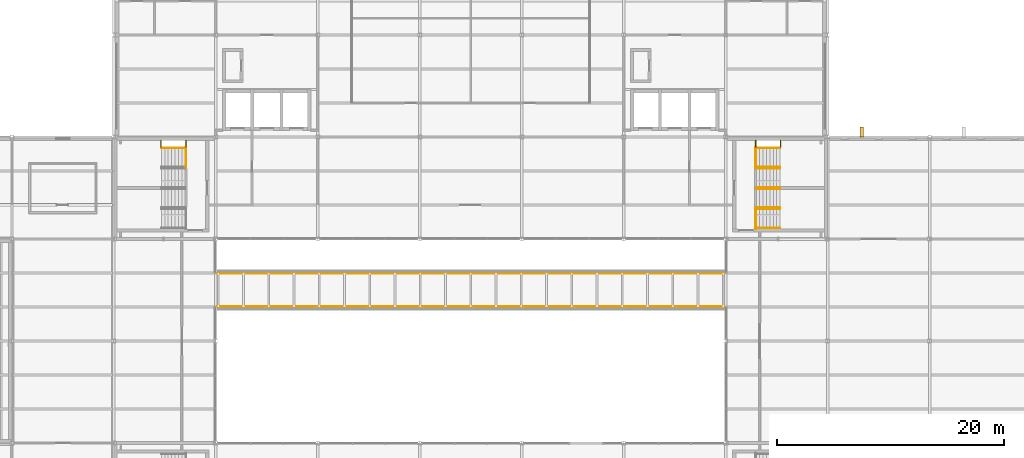
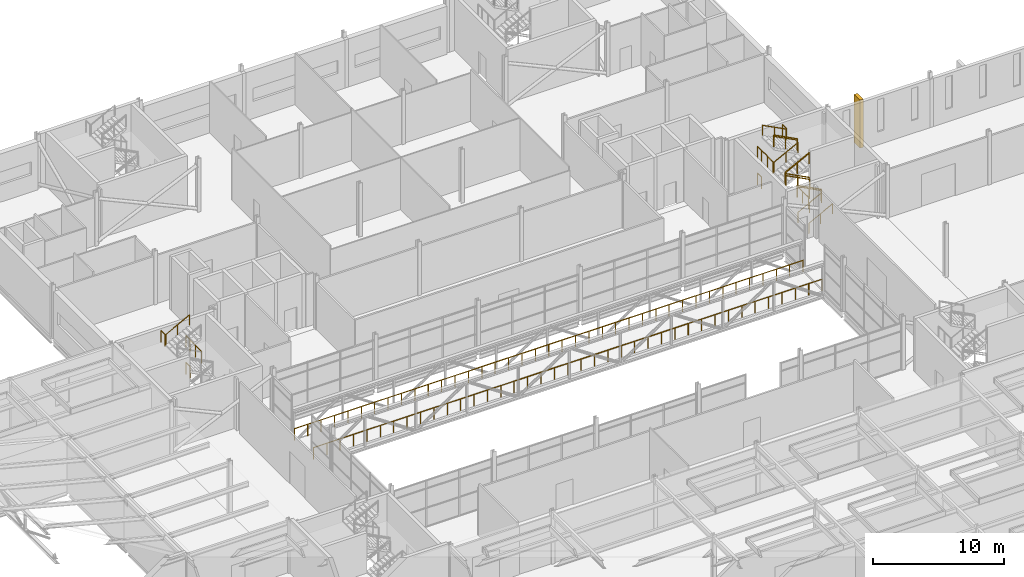
# One storey, part 113 of 115: 24 railings, 1 shading device.
"""IFC4 building model written with IfcOpenShell, lengths in metres."""

import ifcopenshell
import ifcopenshell.guid

model = None  # the IFC model being written
_history = None  # IfcOwnerHistory: only IFC2X3 demands one
_inside = {}  # id of a spatial element -> (the spatial element, [elements in it])
_under = {}  # id of a project, library or spatial element -> (it, [spatial elements below it])
_declared = {}  # id of a project -> (the project, [libraries it declares])
_typed = {}  # id of a type object -> (the type object, [elements of that type])
_made_of = {}  # id of a material, layer set ... -> (it, [elements and type objects made of it])


def new_model(schema):
    """Start an empty IFC model of exactly this schema.

    Asked for "IFC4X3", IfcOpenShell would pick the latest addendum, in which some entities
    have other attributes; the version numbers below select the first issue.
    IFC2X3 requires an IfcOwnerHistory on every rooted entity: one is made here for all.
    """
    global model, _history
    if schema == "IFC4X3":
        model = ifcopenshell.file(schema_version=(4, 3, 0, 0))
    else:
        model = ifcopenshell.file(schema=schema)
    _inside.clear()
    _under.clear()
    _declared.clear()
    _typed.clear()
    _made_of.clear()
    _history = None
    if model.schema == "IFC2X3":
        org = make("IfcOrganization", Name="unknown")
        user = make(
            "IfcPersonAndOrganization",
            ThePerson=make("IfcPerson", FamilyName="unknown"),
            TheOrganization=org,
        )
        app = make(
            "IfcApplication",
            ApplicationDeveloper=org,
            Version="unknown",
            ApplicationFullName="unknown",
            ApplicationIdentifier="unknown",
        )
        _history = make(
            "IfcOwnerHistory",
            OwningUser=user,
            OwningApplication=app,
            ChangeAction="ADDED",
            CreationDate=0,
        )
    return model


def make(cls, **values):
    """One entity of the class cls with the attributes given. An attribute that is None is left unset."""
    return model.create_entity(
        cls, **{name: value for name, value in values.items() if value is not None}
    )


def rooted(cls, **values):
    """An entity with a GlobalId (a new one), such as an element, a storey or a relation."""
    return make(cls, GlobalId=ifcopenshell.guid.new(), OwnerHistory=_history, **values)


def si_unit(unit_type, name, prefix=None):
    """IfcSIUnit, for example si_unit("LENGTHUNIT", "METRE", prefix="MILLI")."""
    return make("IfcSIUnit", UnitType=unit_type, Prefix=prefix, Name=name)


def assignment(units):
    """IfcUnitAssignment: the units of a project."""
    return None if units is None else make("IfcUnitAssignment", Units=units)


def point(xyz):
    """IfcCartesianPoint."""
    return None if xyz is None else make("IfcCartesianPoint", Coordinates=xyz)


def direction(xyz):
    """IfcDirection."""
    return None if xyz is None else make("IfcDirection", DirectionRatios=xyz)


def frame(location, z_axis=None, x_axis=None):
    """IfcAxis2Placement3D, a coordinate frame: its origin and axes. An axis left out is left unset."""
    return make(
        "IfcAxis2Placement3D",
        Location=point(location),
        Axis=direction(z_axis),
        RefDirection=direction(x_axis),
    )


def frame_2d(location, x_axis=None):
    """IfcAxis2Placement2D, a coordinate frame in the plane: its origin and x axis."""
    return make(
        "IfcAxis2Placement2D", Location=point(location), RefDirection=direction(x_axis)
    )


def origin():
    """The frame at (0, 0, 0) with its axes left unset."""
    return frame((0.0, 0.0, 0.0))


def origin_2d():
    """The frame at (0, 0) in the plane with its x axis left unset."""
    return frame_2d((0.0, 0.0))


def place(relative_to, where):
    """IfcLocalPlacement: puts the frame where relative to a parent placement (None: the world)."""
    return make(
        "IfcLocalPlacement", PlacementRelTo=relative_to, RelativePlacement=where
    )


def context(
    kind, dimensions, precision=None, world=None, true_north=None, identifier=None
):
    """IfcGeometricRepresentationContext, for example the 3D "Model" context."""
    return make(
        "IfcGeometricRepresentationContext",
        ContextIdentifier=identifier,
        ContextType=kind,
        CoordinateSpaceDimension=dimensions,
        Precision=precision,
        WorldCoordinateSystem=world,
        TrueNorth=true_north,
    )


def subcontext(parent, identifier, kind, view, scale=None):
    """IfcGeometricRepresentationSubContext, for example "Body" below "Model"."""
    return make(
        "IfcGeometricRepresentationSubContext",
        ContextIdentifier=identifier,
        ContextType=kind,
        ParentContext=parent,
        TargetScale=scale,
        TargetView=view,
    )


def project(units=None, contexts=None):
    """IfcProject with its units and contexts."""
    return rooted(
        "IfcProject",
        Name="project",
        RepresentationContexts=contexts,
        UnitsInContext=assignment(units),
    )


def spatial(cls, under=None, at=None, **own):
    """A site, building, storey or space (cls), placed at a placement, below another one or the project."""
    s = rooted(cls, ObjectPlacement=at, **own)
    if under is not None:
        _under.setdefault(under.id(), (under, []))[1].append(s)
    return s


def profile(cls, at=None, kind="AREA", **sizes):
    """A parametric profile (cls). Its sizes go by their IFC names, for example OverallWidth=200.0."""
    return make(cls, ProfileType=kind, Position=at, **sizes)


def rectangle(**sizes):
    """IfcRectangleProfileDef."""
    return profile("IfcRectangleProfileDef", **sizes)


def circle(**sizes):
    """IfcCircleProfileDef."""
    return profile("IfcCircleProfileDef", **sizes)


def extrude(swept, where, along, depth):
    """IfcExtrudedAreaSolid: the profile swept, set in the frame where, extruded along a direction by depth."""
    return make(
        "IfcExtrudedAreaSolid",
        SweptArea=swept,
        Position=where,
        ExtrudedDirection=direction(along),
        Depth=depth,
    )


def shape(context_of_items, identifier, shape_type, items):
    """IfcShapeRepresentation: the items that make up one representation, for example the "Body"."""
    return make(
        "IfcShapeRepresentation",
        ContextOfItems=context_of_items,
        RepresentationIdentifier=identifier,
        RepresentationType=shape_type,
        Items=items,
    )


def material(Name=None, Category=None):
    """IfcMaterial."""
    return make("IfcMaterial", Name=Name, Category=Category)


def layer(
    of_material, thickness, ventilated=None, Name=None, Category=None, Priority=None
):
    """IfcMaterialLayer: one layer of a wall or slab, of a material (None: an air gap)."""
    return make(
        "IfcMaterialLayer",
        Material=of_material,
        LayerThickness=thickness,
        IsVentilated=ventilated,
        Name=Name,
        Category=Category,
        Priority=Priority,
    )


def layer_set(layers, Name=None):
    """IfcMaterialLayerSet."""
    return make("IfcMaterialLayerSet", MaterialLayers=layers, LayerSetName=Name)


def made_of(thing, what):
    """Note that an element or type object is made of a material, layer set ...; save() writes the relation."""
    if what is not None:
        _made_of.setdefault(what.id(), (what, []))[1].append(thing)
    return thing


def type_object(cls, material=None, **own):
    """A type object (cls), such as IfcWallType, which elements share."""
    return made_of(rooted(cls, **own), material)


def element(
    cls,
    number,
    at=None,
    inside=None,
    cuts=None,
    type_object=None,
    material=None,
    context=None,
    identifier="Body",
    shape_type=None,
    held_by="IfcProductDefinitionShape",
    body=None,
    shapes=None,
    **own,
):
    """One element of the class cls, such as IfcWall. Its Tag is "e" and its number.

    at: its placement. inside: the storey or other place that contains it. cuts: it is an
    opening in that element (IfcRelVoidsElement). A single representation is given by context,
    identifier, shape_type and body (its items); several are given by shapes. held_by: the class
    of the entity that holds the representations. save() writes the other relations.
    """
    e = rooted(cls, Tag="e%d" % number, ObjectPlacement=at, **own)
    if body is not None:
        shapes = [shape(context, identifier, shape_type, body)]
    if shapes is not None:
        e.Representation = make(held_by, Representations=shapes)
    if inside is not None:
        _inside.setdefault(inside.id(), (inside, []))[1].append(e)
    if cuts is not None:
        rooted(
            "IfcRelVoidsElement", RelatingBuildingElement=cuts, RelatedOpeningElement=e
        )
    if type_object is not None:
        _typed.setdefault(type_object.id(), (type_object, []))[1].append(e)
    return made_of(e, material)


def aggregate(whole, parts):
    """IfcRelAggregates: a whole, such as a stair, and the parts it consists of."""
    return rooted("IfcRelAggregates", RelatingObject=whole, RelatedObjects=parts)


def save(model, path):
    """Write the relations noted so far, then the file.

    IfcRelAggregates (storeys below a building ...), IfcRelContainedInSpatialStructure (elements
    in a storey), IfcRelDefinesByType, IfcRelAssociatesMaterial and IfcRelDeclares: one each for
    every whole, place, type object, material and project.
    """
    for whole, parts in _under.values():
        aggregate(whole, parts)
    for where, things in _inside.values():
        rooted(
            "IfcRelContainedInSpatialStructure",
            RelatedElements=things,
            RelatingStructure=where,
        )
    for kind, things in _typed.values():
        rooted("IfcRelDefinesByType", RelatedObjects=things, RelatingType=kind)
    for what, things in _made_of.values():
        rooted("IfcRelAssociatesMaterial", RelatedObjects=things, RelatingMaterial=what)
    for by, libraries in _declared.values():
        rooted("IfcRelDeclares", RelatingContext=by, RelatedDefinitions=libraries)
    model.write(path)


model = new_model("IFC4")

# Units and contexts
model_context = context("Model", 3, precision=1e-05, world=origin(), true_north=direction((0.0, 1.0)))
body_context = subcontext(model_context, "Body", "Model", "MODEL_VIEW")
ifc_project = project(units=[si_unit("LENGTHUNIT", "METRE"), si_unit("AREAUNIT", "SQUARE_METRE"), si_unit("VOLUMEUNIT", "CUBIC_METRE"), si_unit("PLANEANGLEUNIT", "RADIAN"), si_unit("MASSUNIT", "GRAM", prefix="KILO")], contexts=[model_context])

# Site, building, storey
site_placement = place(None, origin())
site = spatial("IfcSite", under=ifc_project, at=site_placement, CompositionType="ELEMENT")
building_placement = place(site_placement, origin())
building = spatial("IfcBuilding", under=site, at=building_placement, Name="Shorebreak Coast Museum", CompositionType="ELEMENT")
storey_placement = place(building_placement, frame((0.0, 0.0, 11.0)))
storey = spatial("IfcBuildingStorey", under=building, at=storey_placement, Name="L02", CompositionType="ELEMENT", Elevation=11.0)

# Railings
ifc_material_1 = material(Name="Steel Grade 300", Category="steel")
railing_type_1 = type_object("IfcRailingType", Name="Bridge guard 1100", PredefinedType="GUARDRAIL", material=ifc_material_1)
railing_1_placement = place(storey_placement, frame((63.114501953125, 75.050048828125, 0.0)))
element("IfcRailing", 1, at=railing_1_placement, inside=storey, type_object=railing_type_1, Name="Guard bridge BR1 S", PredefinedType="GUARDRAIL", context=body_context, shape_type="SweptSolid", body=[
    extrude(circle(Radius=0.02490234375, at=origin_2d()), frame((0.0, 0.0, 1.0751953125), z_axis=(1.0, 0.0, 0.0), x_axis=(0.0, 1.0, 0.0)), (0.0, 0.0, 1.0), 44.77099609375),
    extrude(circle(Radius=0.02001953125, at=origin_2d()), origin(), (0.0, 0.0, 1.0), 1.050048828125),
    extrude(circle(Radius=0.02001953125, at=origin_2d()), frame((1.17822265625, 0.0, 0.0)), (0.0, 0.0, 1.0), 1.050048828125),
    extrude(circle(Radius=0.02001953125, at=origin_2d()), frame((2.3564453125, 0.0, 0.0)), (0.0, 0.0, 1.0), 1.050048828125),
    extrude(circle(Radius=0.02001953125, at=origin_2d()), frame((3.53466796875, 0.0, 0.0)), (0.0, 0.0, 1.0), 1.050048828125),
    extrude(circle(Radius=0.02001953125, at=origin_2d()), frame((4.712646484375, 0.0, 0.0)), (0.0, 0.0, 1.0), 1.050048828125),
    extrude(circle(Radius=0.02001953125, at=origin_2d()), frame((5.890869140625, 0.0, 0.0)), (0.0, 0.0, 1.0), 1.050048828125),
    extrude(circle(Radius=0.02001953125, at=origin_2d()), frame((7.069091796875, 0.0, 0.0)), (0.0, 0.0, 1.0), 1.050048828125),
    extrude(circle(Radius=0.02001953125, at=origin_2d()), frame((8.247314453125, 0.0, 0.0)), (0.0, 0.0, 1.0), 1.050048828125),
    extrude(circle(Radius=0.02001953125, at=origin_2d()), frame((9.425537109375, 0.0, 0.0)), (0.0, 0.0, 1.0), 1.050048828125),
    extrude(circle(Radius=0.02001953125, at=origin_2d()), frame((10.603759765625, 0.0, 0.0)), (0.0, 0.0, 1.0), 1.050048828125),
    extrude(circle(Radius=0.02001953125, at=origin_2d()), frame((11.78173828125, 0.0, 0.0)), (0.0, 0.0, 1.0), 1.050048828125),
    extrude(circle(Radius=0.02001953125, at=origin_2d()), frame((12.9599609375, 0.0, 0.0)), (0.0, 0.0, 1.0), 1.050048828125),
    extrude(circle(Radius=0.02001953125, at=origin_2d()), frame((14.13818359375, 0.0, 0.0)), (0.0, 0.0, 1.0), 1.050048828125),
    extrude(circle(Radius=0.02001953125, at=origin_2d()), frame((15.31640625, 0.0, 0.0)), (0.0, 0.0, 1.0), 1.050048828125),
    extrude(circle(Radius=0.02001953125, at=origin_2d()), frame((16.49462890625, 0.0, 0.0)), (0.0, 0.0, 1.0), 1.050048828125),
    extrude(circle(Radius=0.02001953125, at=origin_2d()), frame((17.6728515625, 0.0, 0.0)), (0.0, 0.0, 1.0), 1.050048828125),
    extrude(circle(Radius=0.02001953125, at=origin_2d()), frame((18.850830078125, 0.0, 0.0)), (0.0, 0.0, 1.0), 1.050048828125),
    extrude(circle(Radius=0.02001953125, at=origin_2d()), frame((20.029052734375, 0.0, 0.0)), (0.0, 0.0, 1.0), 1.050048828125),
    extrude(circle(Radius=0.02001953125, at=origin_2d()), frame((21.207275390625, 0.0, 0.0)), (0.0, 0.0, 1.0), 1.050048828125),
    extrude(circle(Radius=0.02001953125, at=origin_2d()), frame((22.385498046875, 0.0, 0.0)), (0.0, 0.0, 1.0), 1.050048828125),
    extrude(circle(Radius=0.02001953125, at=origin_2d()), frame((23.563720703125, 0.0, 0.0)), (0.0, 0.0, 1.0), 1.050048828125),
    extrude(circle(Radius=0.02001953125, at=origin_2d()), frame((24.741943359375, 0.0, 0.0)), (0.0, 0.0, 1.0), 1.050048828125),
    extrude(circle(Radius=0.02001953125, at=origin_2d()), frame((25.920166015625, 0.0, 0.0)), (0.0, 0.0, 1.0), 1.050048828125),
    extrude(circle(Radius=0.02001953125, at=origin_2d()), frame((27.09814453125, 0.0, 0.0)), (0.0, 0.0, 1.0), 1.050048828125),
    extrude(circle(Radius=0.02001953125, at=origin_2d()), frame((28.2763671875, 0.0, 0.0)), (0.0, 0.0, 1.0), 1.050048828125),
    extrude(circle(Radius=0.02001953125, at=origin_2d()), frame((29.45458984375, 0.0, 0.0)), (0.0, 0.0, 1.0), 1.050048828125),
    extrude(circle(Radius=0.02001953125, at=origin_2d()), frame((30.6328125, 0.0, 0.0)), (0.0, 0.0, 1.0), 1.050048828125),
    extrude(circle(Radius=0.02001953125, at=origin_2d()), frame((31.81103515625, 0.0, 0.0)), (0.0, 0.0, 1.0), 1.050048828125),
    extrude(circle(Radius=0.02001953125, at=origin_2d()), frame((32.9892578125, 0.0, 0.0)), (0.0, 0.0, 1.0), 1.050048828125),
    extrude(circle(Radius=0.02001953125, at=origin_2d()), frame((34.167236328125, 0.0, 0.0)), (0.0, 0.0, 1.0), 1.050048828125),
    extrude(circle(Radius=0.02001953125, at=origin_2d()), frame((35.345458984375, 0.0, 0.0)), (0.0, 0.0, 1.0), 1.050048828125),
    extrude(circle(Radius=0.02001953125, at=origin_2d()), frame((36.523681640625, 0.0, 0.0)), (0.0, 0.0, 1.0), 1.050048828125),
    extrude(circle(Radius=0.02001953125, at=origin_2d()), frame((37.701904296875, 0.0, 0.0)), (0.0, 0.0, 1.0), 1.050048828125),
    extrude(circle(Radius=0.02001953125, at=origin_2d()), frame((38.880126953125, 0.0, 0.0)), (0.0, 0.0, 1.0), 1.050048828125),
    extrude(circle(Radius=0.02001953125, at=origin_2d()), frame((40.058349609375, 0.0, 0.0)), (0.0, 0.0, 1.0), 1.050048828125),
    extrude(circle(Radius=0.02001953125, at=origin_2d()), frame((41.236328125, 0.0, 0.0)), (0.0, 0.0, 1.0), 1.050048828125),
    extrude(circle(Radius=0.02001953125, at=origin_2d()), frame((42.41455078125, 0.0, 0.0)), (0.0, 0.0, 1.0), 1.050048828125),
    extrude(circle(Radius=0.02001953125, at=origin_2d()), frame((43.5927734375, 0.0, 0.0)), (0.0, 0.0, 1.0), 1.050048828125),
    extrude(circle(Radius=0.02001953125, at=origin_2d()), frame((44.77099609375, 0.0, 0.0)), (0.0, 0.0, 1.0), 1.050048828125),
])
railing_2_placement = place(storey_placement, frame((63.114501953125, 77.949951171875, 0.0)))
element("IfcRailing", 2, at=railing_2_placement, inside=storey, type_object=railing_type_1, Name="Guard bridge BR1 N", PredefinedType="GUARDRAIL", context=body_context, shape_type="SweptSolid", body=[
    extrude(circle(Radius=0.02490234375, at=origin_2d()), frame((0.0, 0.0, 1.0751953125), z_axis=(1.0, 0.0, 0.0), x_axis=(0.0, 1.0, 0.0)), (0.0, 0.0, 1.0), 44.77099609375),
    extrude(circle(Radius=0.02001953125, at=origin_2d()), origin(), (0.0, 0.0, 1.0), 1.050048828125),
    extrude(circle(Radius=0.02001953125, at=origin_2d()), frame((1.17822265625, 0.0, 0.0)), (0.0, 0.0, 1.0), 1.050048828125),
    extrude(circle(Radius=0.02001953125, at=origin_2d()), frame((2.3564453125, 0.0, 0.0)), (0.0, 0.0, 1.0), 1.050048828125),
    extrude(circle(Radius=0.02001953125, at=origin_2d()), frame((3.53466796875, 0.0, 0.0)), (0.0, 0.0, 1.0), 1.050048828125),
    extrude(circle(Radius=0.02001953125, at=origin_2d()), frame((4.712646484375, 0.0, 0.0)), (0.0, 0.0, 1.0), 1.050048828125),
    extrude(circle(Radius=0.02001953125, at=origin_2d()), frame((5.890869140625, 0.0, 0.0)), (0.0, 0.0, 1.0), 1.050048828125),
    extrude(circle(Radius=0.02001953125, at=origin_2d()), frame((7.069091796875, 0.0, 0.0)), (0.0, 0.0, 1.0), 1.050048828125),
    extrude(circle(Radius=0.02001953125, at=origin_2d()), frame((8.247314453125, 0.0, 0.0)), (0.0, 0.0, 1.0), 1.050048828125),
    extrude(circle(Radius=0.02001953125, at=origin_2d()), frame((9.425537109375, 0.0, 0.0)), (0.0, 0.0, 1.0), 1.050048828125),
    extrude(circle(Radius=0.02001953125, at=origin_2d()), frame((10.603759765625, 0.0, 0.0)), (0.0, 0.0, 1.0), 1.050048828125),
    extrude(circle(Radius=0.02001953125, at=origin_2d()), frame((11.78173828125, 0.0, 0.0)), (0.0, 0.0, 1.0), 1.050048828125),
    extrude(circle(Radius=0.02001953125, at=origin_2d()), frame((12.9599609375, 0.0, 0.0)), (0.0, 0.0, 1.0), 1.050048828125),
    extrude(circle(Radius=0.02001953125, at=origin_2d()), frame((14.13818359375, 0.0, 0.0)), (0.0, 0.0, 1.0), 1.050048828125),
    extrude(circle(Radius=0.02001953125, at=origin_2d()), frame((15.31640625, 0.0, 0.0)), (0.0, 0.0, 1.0), 1.050048828125),
    extrude(circle(Radius=0.02001953125, at=origin_2d()), frame((16.49462890625, 0.0, 0.0)), (0.0, 0.0, 1.0), 1.050048828125),
    extrude(circle(Radius=0.02001953125, at=origin_2d()), frame((17.6728515625, 0.0, 0.0)), (0.0, 0.0, 1.0), 1.050048828125),
    extrude(circle(Radius=0.02001953125, at=origin_2d()), frame((18.850830078125, 0.0, 0.0)), (0.0, 0.0, 1.0), 1.050048828125),
    extrude(circle(Radius=0.02001953125, at=origin_2d()), frame((20.029052734375, 0.0, 0.0)), (0.0, 0.0, 1.0), 1.050048828125),
    extrude(circle(Radius=0.02001953125, at=origin_2d()), frame((21.207275390625, 0.0, 0.0)), (0.0, 0.0, 1.0), 1.050048828125),
    extrude(circle(Radius=0.02001953125, at=origin_2d()), frame((22.385498046875, 0.0, 0.0)), (0.0, 0.0, 1.0), 1.050048828125),
    extrude(circle(Radius=0.02001953125, at=origin_2d()), frame((23.563720703125, 0.0, 0.0)), (0.0, 0.0, 1.0), 1.050048828125),
    extrude(circle(Radius=0.02001953125, at=origin_2d()), frame((24.741943359375, 0.0, 0.0)), (0.0, 0.0, 1.0), 1.050048828125),
    extrude(circle(Radius=0.02001953125, at=origin_2d()), frame((25.920166015625, 0.0, 0.0)), (0.0, 0.0, 1.0), 1.050048828125),
    extrude(circle(Radius=0.02001953125, at=origin_2d()), frame((27.09814453125, 0.0, 0.0)), (0.0, 0.0, 1.0), 1.050048828125),
    extrude(circle(Radius=0.02001953125, at=origin_2d()), frame((28.2763671875, 0.0, 0.0)), (0.0, 0.0, 1.0), 1.050048828125),
    extrude(circle(Radius=0.02001953125, at=origin_2d()), frame((29.45458984375, 0.0, 0.0)), (0.0, 0.0, 1.0), 1.050048828125),
    extrude(circle(Radius=0.02001953125, at=origin_2d()), frame((30.6328125, 0.0, 0.0)), (0.0, 0.0, 1.0), 1.050048828125),
    extrude(circle(Radius=0.02001953125, at=origin_2d()), frame((31.81103515625, 0.0, 0.0)), (0.0, 0.0, 1.0), 1.050048828125),
    extrude(circle(Radius=0.02001953125, at=origin_2d()), frame((32.9892578125, 0.0, 0.0)), (0.0, 0.0, 1.0), 1.050048828125),
    extrude(circle(Radius=0.02001953125, at=origin_2d()), frame((34.167236328125, 0.0, 0.0)), (0.0, 0.0, 1.0), 1.050048828125),
    extrude(circle(Radius=0.02001953125, at=origin_2d()), frame((35.345458984375, 0.0, 0.0)), (0.0, 0.0, 1.0), 1.050048828125),
    extrude(circle(Radius=0.02001953125, at=origin_2d()), frame((36.523681640625, 0.0, 0.0)), (0.0, 0.0, 1.0), 1.050048828125),
    extrude(circle(Radius=0.02001953125, at=origin_2d()), frame((37.701904296875, 0.0, 0.0)), (0.0, 0.0, 1.0), 1.050048828125),
    extrude(circle(Radius=0.02001953125, at=origin_2d()), frame((38.880126953125, 0.0, 0.0)), (0.0, 0.0, 1.0), 1.050048828125),
    extrude(circle(Radius=0.02001953125, at=origin_2d()), frame((40.058349609375, 0.0, 0.0)), (0.0, 0.0, 1.0), 1.050048828125),
    extrude(circle(Radius=0.02001953125, at=origin_2d()), frame((41.236328125, 0.0, 0.0)), (0.0, 0.0, 1.0), 1.050048828125),
    extrude(circle(Radius=0.02001953125, at=origin_2d()), frame((42.41455078125, 0.0, 0.0)), (0.0, 0.0, 1.0), 1.050048828125),
    extrude(circle(Radius=0.02001953125, at=origin_2d()), frame((43.5927734375, 0.0, 0.0)), (0.0, 0.0, 1.0), 1.050048828125),
    extrude(circle(Radius=0.02001953125, at=origin_2d()), frame((44.77099609375, 0.0, 0.0)), (0.0, 0.0, 1.0), 1.050048828125),
])
ifc_material_2 = material(Name="Steel Grade 300", Category="steel")
railing_type_2 = type_object("IfcRailingType", Name="Stair guard 1100", PredefinedType="GUARDRAIL", material=ifc_material_2)
railing_3_placement = place(storey_placement, frame((60.35009765625, 87.300048828125, 2.5)))
element("IfcRailing", 3, at=railing_3_placement, inside=storey, type_object=railing_type_2, Name="Guard ST03 L02 landing mid1", PredefinedType="GUARDRAIL", context=body_context, shape_type="SweptSolid", body=[
    extrude(circle(Radius=0.02490234375, at=origin_2d()), frame((0.0, 0.0, 1.0751953125), z_axis=(0.0, 1.0, 0.0), x_axis=(-1.0, 0.0, 0.0)), (0.0, 0.0, 1.0), 1.800048828125),
    extrude(circle(Radius=0.02001953125, at=origin_2d()), origin(), (0.0, 0.0, 1.0), 1.050048828125),
    extrude(circle(Radius=0.02001953125, at=origin_2d()), frame((0.0, 0.89990234375, 0.0)), (0.0, 0.0, 1.0), 1.050048828125),
    extrude(circle(Radius=0.02001953125, at=origin_2d()), frame((0.0, 1.800048828125, 0.0)), (0.0, 0.0, 1.0), 1.050048828125),
])
for number, where, name in (
    (4, (60.35009765625, 89.10009765625, 0.0), "Guard ST03 L02 landing strip"),
    (5, (60.35009765625, 89.10009765625, 2.5), "Guard ST03 L02 landing strip"),
    (6, (58.14990234375, 89.10009765625, 3.75), "Guard ST03 L02 landing strip"),
):
    element("IfcRailing", number, at=place(storey_placement, frame(where)), inside=storey, type_object=railing_type_2, Name=name, PredefinedType="GUARDRAIL", context=body_context, shape_type="SweptSolid", body=[
        extrude(circle(Radius=0.02490234375, at=origin_2d()), frame((0.0, 0.0, 1.0751953125), z_axis=(0.0, 1.0, 0.0), x_axis=(-1.0, 0.0, 0.0)), (0.0, 0.0, 1.0), 0.599853515625),
        extrude(circle(Radius=0.02001953125, at=origin_2d()), origin(), (0.0, 0.0, 1.0), 1.050048828125),
        extrude(circle(Radius=0.02001953125, at=origin_2d()), frame((0.0, 0.599853515625, 0.0)), (0.0, 0.0, 1.0), 1.050048828125),
    ])
for number, where, name in (
    (7, (110.64990234375, 81.89990234375, 2.5), "Guard ST04 L02 landing mid1"),
    (8, (110.64990234375, 87.300048828125, 2.5), "Guard ST04 L02 landing mid1"),
):
    element("IfcRailing", number, at=place(storey_placement, frame(where)), inside=storey, type_object=railing_type_2, Name=name, PredefinedType="GUARDRAIL", context=body_context, shape_type="SweptSolid", body=[
        extrude(circle(Radius=0.02490234375, at=origin_2d()), frame((0.0, 0.0, 1.0751953125), z_axis=(0.0, 1.0, 0.0), x_axis=(-1.0, 0.0, 0.0)), (0.0, 0.0, 1.0), 1.800048828125),
        extrude(circle(Radius=0.02001953125, at=origin_2d()), origin(), (0.0, 0.0, 1.0), 1.050048828125),
        extrude(circle(Radius=0.02001953125, at=origin_2d()), frame((0.0, 0.89990234375, 0.0)), (0.0, 0.0, 1.0), 1.050048828125),
        extrude(circle(Radius=0.02001953125, at=origin_2d()), frame((0.0, 1.800048828125, 0.0)), (0.0, 0.0, 1.0), 1.050048828125),
    ])
for number, where, name in (
    (9, (110.64990234375, 89.10009765625, 0.0), "Guard ST04 L02 landing strip"),
    (10, (110.64990234375, 89.10009765625, 2.5), "Guard ST04 L02 landing strip"),
    (11, (112.85009765625, 89.10009765625, 3.75), "Guard ST04 L02 landing strip"),
):
    element("IfcRailing", number, at=place(storey_placement, frame(where)), inside=storey, type_object=railing_type_2, Name=name, PredefinedType="GUARDRAIL", context=body_context, shape_type="SweptSolid", body=[
        extrude(circle(Radius=0.02490234375, at=origin_2d()), frame((0.0, 0.0, 1.0751953125), z_axis=(0.0, 1.0, 0.0), x_axis=(-1.0, 0.0, 0.0)), (0.0, 0.0, 1.0), 0.599853515625),
        extrude(circle(Radius=0.02001953125, at=origin_2d()), origin(), (0.0, 0.0, 1.0), 1.050048828125),
        extrude(circle(Radius=0.02001953125, at=origin_2d()), frame((0.0, 0.599853515625, 0.0)), (0.0, 0.0, 1.0), 1.050048828125),
    ])
for number, where, name in (
    (12, (112.800048828125, 83.699951171875, 1.40625), "Guard ST04-L02 well 1"),
    (13, (112.800048828125, 87.300048828125, 3.90625), "Guard ST04-L02 well 2"),
    (14, (112.800048828125, 85.5, 1.40625), "Guard ST04-L02 side 1"),
):
    element("IfcRailing", number, at=place(storey_placement, frame(where)), inside=storey, type_object=railing_type_2, Name=name, PredefinedType="GUARDRAIL", context=body_context, shape_type="SweptSolid", body=[
        extrude(circle(Radius=0.02490234375, at=origin_2d()), frame((0.0, 0.0, 1.0751953125), z_axis=(-0.8869228845, 0.0, 0.461917521804), x_axis=(0.0, -1.0, 0.0)), (0.0, 0.0, 1.0), 2.367919921875),
        extrude(circle(Radius=0.02001953125, at=origin_2d()), origin(), (0.0, 0.0, 1.0), 1.050048828125),
        extrude(circle(Radius=0.02001953125, at=origin_2d()), frame((-1.050048828125, 0.0, 0.546875)), (0.0, 0.0, 1.0), 1.050048828125),
        extrude(circle(Radius=0.02001953125, at=origin_2d()), frame((-2.10009765625, 0.0, 1.09375)), (0.0, 0.0, 1.0), 1.050048828125),
    ])
railing_4_placement = place(storey_placement, frame((110.699951171875, 85.5, 2.65625)))
element("IfcRailing", 15, at=railing_4_placement, inside=storey, type_object=railing_type_2, Name="Guard ST04-L02 side 2", PredefinedType="GUARDRAIL", context=body_context, shape_type="SweptSolid", body=[
    extrude(circle(Radius=0.02490234375, at=origin_2d()), frame((0.0, 0.0, 1.0751953125), z_axis=(0.8869228845, 0.0, 0.461917521804), x_axis=(0.0, 1.0, 0.0)), (0.0, 0.0, 1.0), 2.367919921875),
    extrude(circle(Radius=0.02001953125, at=origin_2d()), origin(), (0.0, 0.0, 1.0), 1.050048828125),
    extrude(circle(Radius=0.02001953125, at=origin_2d()), frame((1.050048828125, 0.0, 0.546875)), (0.0, 0.0, 1.0), 1.050048828125),
    extrude(circle(Radius=0.02001953125, at=origin_2d()), frame((2.10009765625, 0.0, 1.09375)), (0.0, 0.0, 1.0), 1.050048828125),
])
ifc_material_3 = material(Name="Steel Grade 300", Category="steel")
railing_type_3 = type_object("IfcRailingType", Name="Stair handrail 950", PredefinedType="HANDRAIL", material=ifc_material_3)
for number, where, name in (
    (16, (58.199951171875, 89.0400390625, 3.90625), "Handrail ST03-L02 flight 4b"),
    (17, (110.699951171875, 81.9599609375, 0.15625), "Handrail ST04-L02 flight 1a"),
    (18, (110.699951171875, 83.639892578125, 0.15625), "Handrail ST04-L02 flight 1b"),
):
    element("IfcRailing", number, at=place(storey_placement, frame(where)), inside=storey, type_object=railing_type_3, Name=name, PredefinedType="HANDRAIL", context=body_context, shape_type="SweptSolid", body=[
        extrude(circle(Radius=0.02490234375, at=origin_2d()), frame((0.0, 0.0, 0.9248046875), z_axis=(0.8869228845, 0.0, 0.461917521804), x_axis=(0.0, 1.0, 0.0)), (0.0, 0.0, 1.0), 2.367919921875),
        extrude(circle(Radius=0.02001953125, at=origin_2d()), origin(), (0.0, 0.0, 1.0), 0.89990234375),
        extrude(circle(Radius=0.02001953125, at=origin_2d()), frame((1.050048828125, 0.0, 0.546875)), (0.0, 0.0, 1.0), 0.89990234375),
        extrude(circle(Radius=0.02001953125, at=origin_2d()), frame((2.10009765625, 0.0, 1.09375)), (0.0, 0.0, 1.0), 0.89990234375),
    ])
for number, where, name in (
    (19, (112.800048828125, 83.760009765625, 1.40625), "Handrail ST04-L02 flight 2a"),
    (20, (112.800048828125, 85.43994140625, 1.40625), "Handrail ST04-L02 flight 2b"),
):
    element("IfcRailing", number, at=place(storey_placement, frame(where)), inside=storey, type_object=railing_type_3, Name=name, PredefinedType="HANDRAIL", context=body_context, shape_type="SweptSolid", body=[
        extrude(circle(Radius=0.02490234375, at=origin_2d()), frame((0.0, 0.0, 0.9248046875), z_axis=(-0.8869228845, 0.0, 0.461917521804), x_axis=(0.0, -1.0, 0.0)), (0.0, 0.0, 1.0), 2.367919921875),
        extrude(circle(Radius=0.02001953125, at=origin_2d()), origin(), (0.0, 0.0, 1.0), 0.89990234375),
        extrude(circle(Radius=0.02001953125, at=origin_2d()), frame((-1.050048828125, 0.0, 0.546875)), (0.0, 0.0, 1.0), 0.89990234375),
        extrude(circle(Radius=0.02001953125, at=origin_2d()), frame((-2.10009765625, 0.0, 1.09375)), (0.0, 0.0, 1.0), 0.89990234375),
    ])
for number, where, name in (
    (21, (110.699951171875, 85.56005859375, 2.65625), "Handrail ST04-L02 flight 3a"),
    (22, (110.699951171875, 87.239990234375, 2.65625), "Handrail ST04-L02 flight 3b"),
):
    element("IfcRailing", number, at=place(storey_placement, frame(where)), inside=storey, type_object=railing_type_3, Name=name, PredefinedType="HANDRAIL", context=body_context, shape_type="SweptSolid", body=[
        extrude(circle(Radius=0.02490234375, at=origin_2d()), frame((0.0, 0.0, 0.9248046875), z_axis=(0.8869228845, 0.0, 0.461917521804), x_axis=(0.0, 1.0, 0.0)), (0.0, 0.0, 1.0), 2.367919921875),
        extrude(circle(Radius=0.02001953125, at=origin_2d()), origin(), (0.0, 0.0, 1.0), 0.89990234375),
        extrude(circle(Radius=0.02001953125, at=origin_2d()), frame((1.050048828125, 0.0, 0.546875)), (0.0, 0.0, 1.0), 0.89990234375),
        extrude(circle(Radius=0.02001953125, at=origin_2d()), frame((2.10009765625, 0.0, 1.09375)), (0.0, 0.0, 1.0), 0.89990234375),
    ])
for number, where, name in (
    (23, (112.800048828125, 87.360107421875, 3.90625), "Handrail ST04-L02 flight 4a"),
    (24, (112.800048828125, 89.0400390625, 3.90625), "Handrail ST04-L02 flight 4b"),
):
    element("IfcRailing", number, at=place(storey_placement, frame(where)), inside=storey, type_object=railing_type_3, Name=name, PredefinedType="HANDRAIL", context=body_context, shape_type="SweptSolid", body=[
        extrude(circle(Radius=0.02490234375, at=origin_2d()), frame((0.0, 0.0, 0.9248046875), z_axis=(-0.8869228845, 0.0, 0.461917521804), x_axis=(0.0, -1.0, 0.0)), (0.0, 0.0, 1.0), 2.367919921875),
        extrude(circle(Radius=0.02001953125, at=origin_2d()), origin(), (0.0, 0.0, 1.0), 0.89990234375),
        extrude(circle(Radius=0.02001953125, at=origin_2d()), frame((-1.050048828125, 0.0, 0.546875)), (0.0, 0.0, 1.0), 0.89990234375),
        extrude(circle(Radius=0.02001953125, at=origin_2d()), frame((-2.10009765625, 0.0, 1.09375)), (0.0, 0.0, 1.0), 0.89990234375),
    ])

# Shading device
ifc_material_4 = material(Name="Concrete N50 (50 MPa)", Category="concrete")
ifc_layer = layer(ifc_material_4, 0.300048828125)
ifc_layer_set = layer_set([ifc_layer], Name="Concrete N50 (50 MPa)")
shading_device_type = type_object("IfcShadingDeviceType", Name="Sun fin 300 x 900", PredefinedType="USERDEFINED", material=ifc_layer_set)
shading_device_placement = place(storey_placement, frame((120.0, 90.449951171875, 0.0), z_axis=(0.0, 0.0, 1.0), x_axis=(1.0, 0.0, 0.0)))
element("IfcShadingDevice", 25, at=shading_device_placement, inside=storey, type_object=shading_device_type, Name="Sun fin L02 N15", ObjectType="FIN", PredefinedType="USERDEFINED", context=body_context, shape_type="SweptSolid", body=[
    extrude(rectangle(XDim=0.300048828125, YDim=0.89990234375, at=origin_2d()), origin(), (0.0, 0.0, 1.0), 4.469482421875),
])

save(model, "model.ifc")
